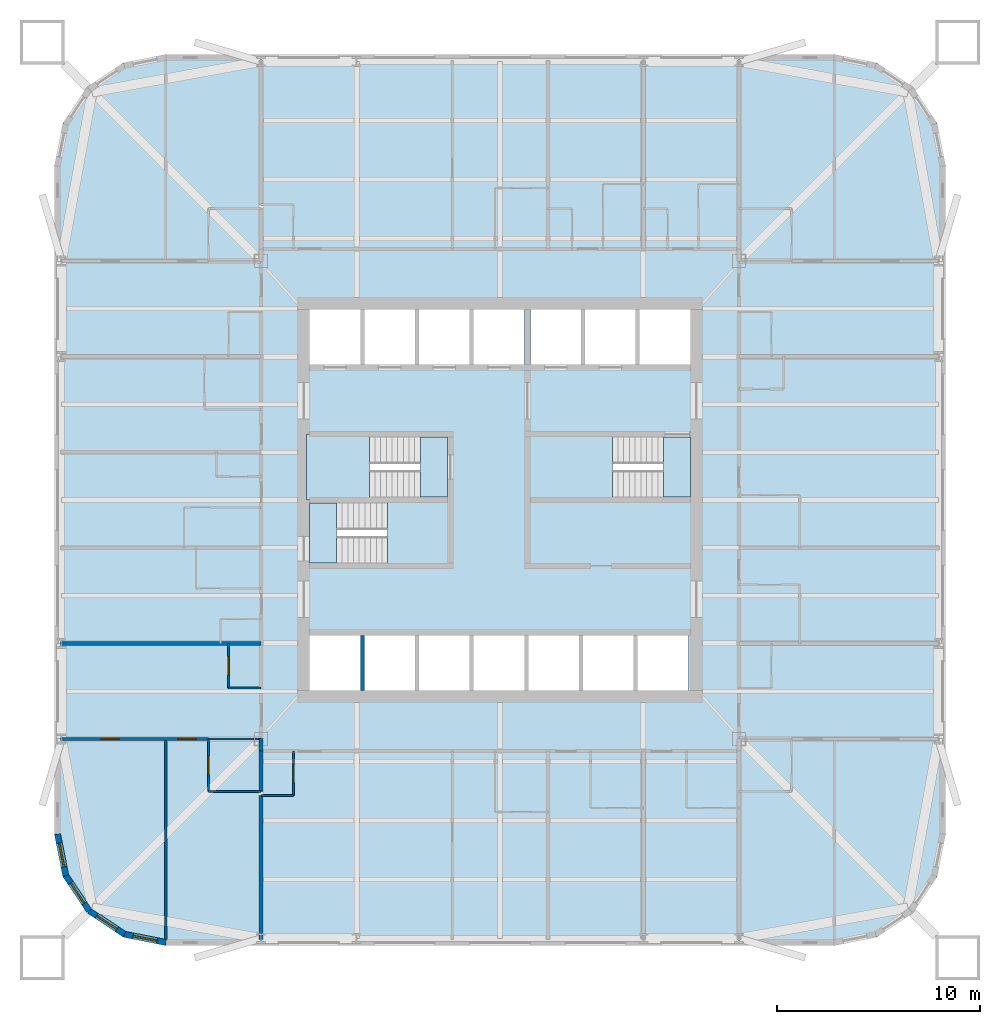
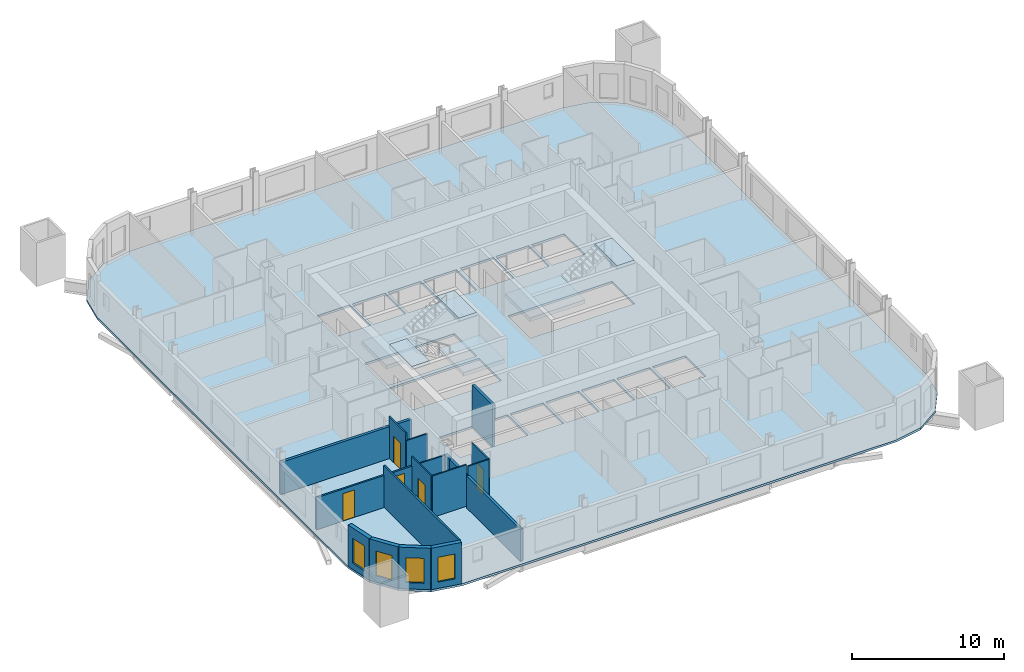
# One storey, part 2 of 9: 18 walls, 7 slabs, 5 doors, 4 windows, 9 openings, 3 elements without a shape of their own.
"""IFC4 building model written with IfcOpenShell, lengths in metres."""

from ifc_helpers import new_model, si_unit, direction, frame, frame_2d, origin, place, context, subcontext, project, spatial, polyline, rectangle, outline, extrude, material, layer, layer_set, type_object, element, fill, aggregate, save


model = new_model("IFC4")

# Units and contexts
model_context = context("Model", 3, precision=1e-05, world=origin(), true_north=direction((0.0, 1.0)))
body_context = subcontext(model_context, "Body", "Model", "MODEL_VIEW")
ifc_project = project(units=[si_unit("LENGTHUNIT", "METRE"), si_unit("AREAUNIT", "SQUARE_METRE"), si_unit("VOLUMEUNIT", "CUBIC_METRE"), si_unit("PLANEANGLEUNIT", "RADIAN"), si_unit("MASSUNIT", "GRAM", prefix="KILO")], contexts=[model_context])

# Site, building, storey
site_placement = place(None, origin())
site = spatial("IfcSite", under=ifc_project, at=site_placement, CompositionType="ELEMENT")
building_placement = place(site_placement, origin())
building = spatial("IfcBuilding", under=site, at=building_placement, Name="Turquesa Mirador Hotel Tower", CompositionType="ELEMENT")
storey_placement = place(building_placement, frame((0.0, 0.0, 35.5)))
storey = spatial("IfcBuildingStorey", under=building, at=storey_placement, Name="L08", CompositionType="ELEMENT", Elevation=35.5)

# Slab
ifc_material_1 = material(Name="Concrete C28/35", Category="concrete")
ifc_layer_1 = layer(ifc_material_1, 0.169921875)
ifc_layer_set_1 = layer_set([ifc_layer_1], Name="COMPOSITE FLOOR SLAB 170")
slab_type_1 = type_object("IfcSlabType", Name="COMPOSITE FLOOR SLAB 170", PredefinedType="FLOOR", material=ifc_layer_set_1)
slab_1_placement = place(storey_placement, frame((0.0, 0.0, -0.169921875)))
element("IfcSlab", 1, at=slab_1_placement, inside=storey, type_object=slab_type_1, Name="Floor slab L08", PredefinedType="FLOOR", context=body_context, shape_type="SweptSolid", body=[
    extrude(outline(polyline([(71.5, 23.0), (73.604736328125, 23.418701171875), (75.38916015625, 24.61083984375), (76.581298828125, 26.395263671875), (77.0, 28.5), (77.0, 61.5), (76.581298828125, 63.604736328125), (75.38916015625, 65.38916015625), (73.604736328125, 66.581298828125), (71.5, 67.0), (38.5, 67.0), (36.395263671875, 66.581298828125), (34.61083984375, 65.38916015625), (33.418701171875, 63.604736328125), (33.0, 61.5), (33.0, 28.5), (33.418701171875, 26.395263671875), (34.61083984375, 24.61083984375), (36.395263671875, 23.418701171875), (38.5, 23.0), (71.5, 23.0)]), holes=[polyline([(45.60009765625, 51.699951171875), (48.10009765625, 51.699951171875), (48.10009765625, 54.39990234375), (45.60009765625, 54.39990234375), (45.60009765625, 51.699951171875)]), polyline([(48.300048828125, 51.699951171875), (50.800048828125, 51.699951171875), (50.800048828125, 54.39990234375), (48.300048828125, 54.39990234375), (48.300048828125, 51.699951171875)]), polyline([(51.0, 51.699951171875), (53.5, 51.699951171875), (53.5, 54.39990234375), (51.0, 54.39990234375), (51.0, 51.699951171875)]), polyline([(53.699951171875, 51.699951171875), (56.199951171875, 51.699951171875), (56.199951171875, 54.39990234375), (53.699951171875, 54.39990234375), (53.699951171875, 51.699951171875)]), polyline([(56.5, 51.699951171875), (59.0, 51.699951171875), (59.0, 54.39990234375), (56.5, 54.39990234375), (56.5, 51.699951171875)]), polyline([(59.199951171875, 51.699951171875), (61.699951171875, 51.699951171875), (61.699951171875, 54.39990234375), (59.199951171875, 54.39990234375), (59.199951171875, 51.699951171875)]), polyline([(45.60009765625, 35.60009765625), (48.10009765625, 35.60009765625), (48.10009765625, 38.300048828125), (45.60009765625, 38.300048828125), (45.60009765625, 35.60009765625)]), polyline([(48.300048828125, 35.60009765625), (50.800048828125, 35.60009765625), (50.800048828125, 38.300048828125), (48.300048828125, 38.300048828125), (48.300048828125, 35.60009765625)]), polyline([(51.0, 35.60009765625), (53.5, 35.60009765625), (53.5, 38.300048828125), (51.0, 38.300048828125), (51.0, 35.60009765625)]), polyline([(53.699951171875, 35.60009765625), (56.199951171875, 35.60009765625), (56.199951171875, 38.300048828125), (53.699951171875, 38.300048828125), (53.699951171875, 35.60009765625)]), polyline([(56.39990234375, 35.60009765625), (58.89990234375, 35.60009765625), (58.89990234375, 38.300048828125), (56.39990234375, 38.300048828125), (56.39990234375, 35.60009765625)]), polyline([(59.10009765625, 35.60009765625), (61.60009765625, 35.60009765625), (61.60009765625, 38.300048828125), (59.10009765625, 38.300048828125), (59.10009765625, 35.60009765625)]), polyline([(61.800048828125, 35.60009765625), (64.300048828125, 35.60009765625), (64.300048828125, 38.300048828125), (61.800048828125, 38.300048828125), (61.800048828125, 35.60009765625)]), polyline([(45.60009765625, 45.14990234375), (52.39990234375, 45.14990234375), (52.39990234375, 48.10009765625), (45.60009765625, 48.10009765625), (45.60009765625, 45.14990234375)]), polyline([(45.60009765625, 41.89990234375), (52.39990234375, 41.89990234375), (52.39990234375, 44.85009765625), (45.60009765625, 44.85009765625), (45.60009765625, 41.89990234375)]), polyline([(56.5, 45.14990234375), (64.39990234375, 45.14990234375), (64.39990234375, 48.10009765625), (56.5, 48.10009765625), (56.5, 45.14990234375)]), polyline([(61.89990234375, 51.699951171875), (64.39990234375, 51.699951171875), (64.39990234375, 54.39990234375), (61.89990234375, 54.39990234375), (61.89990234375, 51.699951171875)])]), origin(), (0.0, 0.0, 1.0), 0.169921875),
])

# Stair, slabs
ifc_material_2 = material(Name="Concrete C35/45", Category="concrete")
stair_type = type_object("IfcStairType", Name="ESCAPE STAIR CORE", PredefinedType="HALF_TURN_STAIR", material=ifc_material_2)
stair_1_placement = place(storey_placement, origin())
stair_1 = element("IfcStair", 2, at=stair_1_placement, inside=storey, type_object=stair_type, Name="Stair ST1 L08 to L09", PredefinedType="HALF_TURN_STAIR")
ifc_material_3 = material(Name="Concrete C35/45", Category="concrete")
ifc_layer_2 = layer(ifc_material_3, 0.300048828125)
ifc_layer_set_2 = layer_set([ifc_layer_2], Name="STAIR LANDING 300")
slab_type_2 = type_object("IfcSlabType", Name="STAIR LANDING 300", PredefinedType="LANDING", material=ifc_layer_set_2)
slab_2_placement = place(storey_placement, frame((0.0, 0.0, 1.449951171875)))
slab_2 = element("IfcSlab", 3, at=slab_2_placement, type_object=slab_type_2, Name="ST1 landing 1", PredefinedType="LANDING", context=body_context, shape_type="SweptSolid", body=[
    extrude(outline(polyline([(45.449951171875, 45.0), (48.550048828125, 45.0), (48.550048828125, 48.25), (45.449951171875, 48.25), (45.449951171875, 45.0)])), origin(), (0.0, 0.0, 1.0), 0.300048828125),
])
slab_3_placement = place(storey_placement, frame((0.0, 0.0, 3.199951171875)))
slab_3 = element("IfcSlab", 4, at=slab_3_placement, type_object=slab_type_2, Name="ST1 landing 2", PredefinedType="LANDING", context=body_context, shape_type="SweptSolid", body=[
    extrude(outline(polyline([(51.070068359375, 45.14990234375), (52.39990234375, 45.14990234375), (52.39990234375, 48.10009765625), (51.070068359375, 48.10009765625), (51.070068359375, 45.14990234375)])), origin(), (0.0, 0.0, 1.0), 0.300048828125),
])
aggregate(stair_1, [slab_2, slab_3])

stair_2_placement = place(storey_placement, origin())
stair_2 = element("IfcStair", 5, at=stair_2_placement, inside=storey, type_object=stair_type, Name="Stair ST2 L08 to L09", PredefinedType="HALF_TURN_STAIR")
slab_4_placement = place(storey_placement, frame((0.0, 0.0, 1.449951171875)))
slab_4 = element("IfcSlab", 6, at=slab_4_placement, type_object=slab_type_2, Name="ST2 landing 1", PredefinedType="LANDING", context=body_context, shape_type="SweptSolid", body=[
    extrude(outline(polyline([(52.550048828125, 45.0), (49.449951171875, 45.0), (49.449951171875, 41.75), (52.550048828125, 41.75), (52.550048828125, 45.0)])), origin(), (0.0, 0.0, 1.0), 0.300048828125),
])
slab_5_placement = place(storey_placement, frame((0.0, 0.0, 3.199951171875)))
slab_5 = element("IfcSlab", 7, at=slab_5_placement, type_object=slab_type_2, Name="ST2 landing 2", PredefinedType="LANDING", context=body_context, shape_type="SweptSolid", body=[
    extrude(outline(polyline([(46.929931640625, 44.85009765625), (45.60009765625, 44.85009765625), (45.60009765625, 41.89990234375), (46.929931640625, 41.89990234375), (46.929931640625, 44.85009765625)])), origin(), (0.0, 0.0, 1.0), 0.300048828125),
])
aggregate(stair_2, [slab_4, slab_5])

stair_3_placement = place(storey_placement, origin())
stair_3 = element("IfcStair", 8, at=stair_3_placement, inside=storey, type_object=stair_type, Name="Stair ST3 L08 to L09", PredefinedType="HALF_TURN_STAIR")
slab_6_placement = place(storey_placement, frame((0.0, 0.0, 1.449951171875)))
slab_6 = element("IfcSlab", 9, at=slab_6_placement, type_object=slab_type_2, Name="ST3 landing 1", PredefinedType="LANDING", context=body_context, shape_type="SweptSolid", body=[
    extrude(outline(polyline([(56.35009765625, 45.0), (60.550048828125, 45.0), (60.550048828125, 48.25), (56.35009765625, 48.25), (56.35009765625, 45.0)])), origin(), (0.0, 0.0, 1.0), 0.300048828125),
])
slab_7_placement = place(storey_placement, frame((0.0, 0.0, 3.199951171875)))
slab_7 = element("IfcSlab", 10, at=slab_7_placement, type_object=slab_type_2, Name="ST3 landing 2", PredefinedType="LANDING", context=body_context, shape_type="SweptSolid", body=[
    extrude(outline(polyline([(63.070068359375, 45.14990234375), (64.39990234375, 45.14990234375), (64.39990234375, 48.10009765625), (63.070068359375, 48.10009765625), (63.070068359375, 45.14990234375)])), origin(), (0.0, 0.0, 1.0), 0.300048828125),
])
aggregate(stair_3, [slab_6, slab_7])

# Walls
ifc_material_4 = material(Name="Gypsum board on steel studs", Category="steel")
ifc_layer_3 = layer(ifc_material_4, 0.10009765625)
ifc_layer_set_3 = layer_set([ifc_layer_3], Name="BATHROOM WALL 100")
wall_type_1 = type_object("IfcWallType", Name="BATHROOM WALL 100", PredefinedType="PARTITIONING", material=ifc_layer_set_3)
wall_1_placement = place(storey_placement, frame((40.60009765625, 33.199951171875, 0.0), z_axis=(0.0, 0.0, 1.0), x_axis=(1.0, 0.0, 0.0)))
element("IfcWall", 11, at=wall_1_placement, inside=storey, type_object=wall_type_1, Name="Partition L08 002", PredefinedType="PARTITIONING", context=body_context, shape_type="SweptSolid", body=[
    extrude(rectangle(XDim=2.599853515625, YDim=0.10009765625, at=frame_2d((1.2998046875, 0.0))), origin(), (0.0, 0.0, 1.0), 2.572998046875),
])
wall_2_placement = place(storey_placement, frame((40.60009765625, 30.60009765625, 0.0), z_axis=(0.0, 0.0, 1.0), x_axis=(1.0, 0.0, 0.0)))
element("IfcWall", 12, at=wall_2_placement, inside=storey, type_object=wall_type_1, Name="Partition L08 007", PredefinedType="PARTITIONING", context=body_context, shape_type="SweptSolid", body=[
    extrude(rectangle(XDim=2.599853515625, YDim=0.10009765625, at=frame_2d((1.2998046875, 0.0))), origin(), (0.0, 0.0, 1.0), 3.330078125),
])
wall_3_placement = place(storey_placement, frame((43.199951171875, 30.39990234375, 0.0), z_axis=(0.0, 0.0, 1.0), x_axis=(1.0, 0.0, 0.0)))
element("IfcWall", 13, at=wall_3_placement, inside=storey, type_object=wall_type_1, Name="Partition L08 009", PredefinedType="PARTITIONING", context=body_context, shape_type="SweptSolid", body=[
    extrude(rectangle(XDim=1.60009765625, YDim=0.10009765625, at=frame_2d((0.800048828125, 0.0))), origin(), (0.0, 0.0, 1.0), 3.330078125),
])
wall_4_placement = place(storey_placement, frame((41.60009765625, 35.719970703125, 0.0), z_axis=(0.0, 0.0, 1.0), x_axis=(1.0, 0.0, 0.0)))
element("IfcWall", 14, at=wall_4_placement, inside=storey, type_object=wall_type_1, Name="Partition L08 020", PredefinedType="PARTITIONING", context=body_context, shape_type="SweptSolid", body=[
    extrude(rectangle(XDim=1.599853515625, YDim=0.10009765625, at=frame_2d((0.7998046875, 0.0))), origin(), (0.0, 0.0, 1.0), 2.722900390625),
])

# Wall, opening, door
wall_5_placement = place(storey_placement, frame((44.800048828125, 30.39990234375, 0.0), z_axis=(0.0, 0.0, 1.0), x_axis=(0.0, 1.0, 0.0)))
wall_5 = element("IfcWall", 15, at=wall_5_placement, inside=storey, type_object=wall_type_1, Name="Partition L08 046", PredefinedType="PARTITIONING", context=body_context, shape_type="SweptSolid", body=[
    extrude(rectangle(XDim=2.2001953125, YDim=0.10009765625, at=frame_2d((1.10009765625, 0.0))), origin(), (0.0, 0.0, 1.0), 3.330078125),
])
opening_1_placement = place(wall_5_placement, frame((0.64990234375, 0.0, 0.0)))
opening_1 = element("IfcOpeningElement", 16, at=opening_1_placement, cuts=wall_5, Name="Opening D06", PredefinedType="OPENING", context=body_context, shape_type="SweptSolid", body=[
    extrude(rectangle(XDim=0.89990234375, YDim=2.10009765625, at=frame_2d((0.449951171875, 1.050048828125))), frame((0.0, 0.06005859375, 0.0), z_axis=(0.0, -1.0, 0.0), x_axis=(1.0, 0.0, 0.0)), (0.0, 0.0, 1.0), 0.1201171875),
])
ifc_material_5 = material(Name="Laminate door", Category="wood")
door_type_1 = type_object("IfcDoorType", Name="DOOR 900X2100 WC", OperationType="SINGLE_SWING_LEFT", PredefinedType="DOOR", material=ifc_material_5)
door_1_placement = place(opening_1_placement, origin())
door_1 = element("IfcDoor", 17, at=door_1_placement, inside=storey, type_object=door_type_1, Name="Door 0804W", OperationType="SINGLE_SWING_LEFT", OverallHeight=2.10009765625, OverallWidth=0.89990234375, PredefinedType="DOOR", context=body_context, shape_type="SweptSolid", body=[
    extrude(rectangle(XDim=0.89990234375, YDim=2.10009765625, at=frame_2d((0.449951171875, 1.050048828125))), frame((0.0, 0.02490234375, 0.0), z_axis=(0.0, -1.0, 0.0), x_axis=(1.0, 0.0, 0.0)), (0.0, 0.0, 1.0), 0.050048828125),
])
fill(opening_1, door_1)

wall_6_placement = place(storey_placement, frame((41.60009765625, 35.719970703125, 0.0), z_axis=(0.0, 0.0, 1.0), x_axis=(0.0, 1.0, 0.0)))
wall_6 = element("IfcWall", 18, at=wall_6_placement, inside=storey, type_object=wall_type_1, Name="Partition L08 053", PredefinedType="PARTITIONING", context=body_context, shape_type="SweptSolid", body=[
    extrude(rectangle(XDim=2.199951171875, YDim=0.10009765625, at=frame_2d((1.10009765625, 0.0))), origin(), (0.0, 0.0, 1.0), 3.330078125),
])
opening_2_placement = place(wall_6_placement, frame((0.64990234375, 0.0, 0.0)))
opening_2 = element("IfcOpeningElement", 19, at=opening_2_placement, cuts=wall_6, Name="Opening D06", PredefinedType="OPENING", context=body_context, shape_type="SweptSolid", body=[
    extrude(rectangle(XDim=0.89990234375, YDim=2.10009765625, at=frame_2d((0.449951171875, 1.050048828125))), frame((0.0, 0.06005859375, 0.0), z_axis=(0.0, -1.0, 0.0), x_axis=(1.0, 0.0, 0.0)), (0.0, 0.0, 1.0), 0.1201171875),
])
door_2_placement = place(opening_2_placement, origin())
door_2 = element("IfcDoor", 20, at=door_2_placement, inside=storey, type_object=door_type_1, Name="Door 0814W", OperationType="SINGLE_SWING_LEFT", OverallHeight=2.10009765625, OverallWidth=0.89990234375, PredefinedType="DOOR", context=body_context, shape_type="SweptSolid", body=[
    extrude(rectangle(XDim=0.89990234375, YDim=2.10009765625, at=frame_2d((0.449951171875, 1.050048828125))), frame((0.0, 0.02490234375, 0.0), z_axis=(0.0, -1.0, 0.0), x_axis=(1.0, 0.0, 0.0)), (0.0, 0.0, 1.0), 0.050048828125),
])
fill(opening_2, door_2)

wall_7_placement = place(storey_placement, frame((40.60009765625, 30.60009765625, 0.0), z_axis=(0.0, 0.0, 1.0), x_axis=(0.0, 1.0, 0.0)))
wall_7 = element("IfcWall", 21, at=wall_7_placement, inside=storey, type_object=wall_type_1, Name="Partition L08 057", PredefinedType="PARTITIONING", context=body_context, shape_type="SweptSolid", body=[
    extrude(rectangle(XDim=2.599853515625, YDim=0.10009765625, at=frame_2d((1.2998046875, 0.0))), origin(), (0.0, 0.0, 1.0), 3.330078125),
])
opening_3_placement = place(wall_7_placement, frame((0.85009765625, 0.0, 0.0)))
opening_3 = element("IfcOpeningElement", 22, at=opening_3_placement, cuts=wall_7, Name="Opening D02", PredefinedType="OPENING", context=body_context, shape_type="SweptSolid", body=[
    extrude(rectangle(XDim=0.89990234375, YDim=2.10009765625, at=frame_2d((0.449951171875, 1.050048828125))), frame((0.0, 0.06005859375, 0.0), z_axis=(0.0, -1.0, 0.0), x_axis=(1.0, 0.0, 0.0)), (0.0, 0.0, 1.0), 0.1201171875),
])
ifc_material_6 = material(Name="Timber veneered door", Category="wood")
door_type_2 = type_object("IfcDoorType", Name="DOOR 900X2100 EN-SUITE", OperationType="SINGLE_SWING_RIGHT", PredefinedType="DOOR", material=ifc_material_6)
door_3_placement = place(opening_3_placement, origin())
door_3 = element("IfcDoor", 23, at=door_3_placement, inside=storey, type_object=door_type_2, Name="Door 0814B", OperationType="SINGLE_SWING_RIGHT", OverallHeight=2.10009765625, OverallWidth=0.89990234375, PredefinedType="DOOR", context=body_context, shape_type="SweptSolid", body=[
    extrude(rectangle(XDim=0.89990234375, YDim=2.10009765625, at=frame_2d((0.449951171875, 1.050048828125))), frame((0.0, 0.02490234375, 0.0), z_axis=(0.0, -1.0, 0.0), x_axis=(1.0, 0.0, 0.0)), (0.0, 0.0, 1.0), 0.050048828125),
])
fill(opening_3, door_3)

# Wall
ifc_material_7 = material(Name="Fire-rated gypsum board on steel studs", Category="steel")
ifc_layer_4 = layer(ifc_material_7, 0.199951171875)
ifc_layer_set_4 = layer_set([ifc_layer_4], Name="CORRIDOR WALL 200")
wall_type_2 = type_object("IfcWallType", Name="CORRIDOR WALL 200", PredefinedType="PARTITIONING", material=ifc_layer_set_4)
wall_8_placement = place(storey_placement, frame((43.199951171875, 32.60009765625, 0.0), z_axis=(0.0, 0.0, 1.0), x_axis=(0.0, 1.0, 0.0)))
element("IfcWall", 24, at=wall_8_placement, inside=storey, type_object=wall_type_2, Name="Partition L08 088", PredefinedType="PARTITIONING", context=body_context, shape_type="SweptSolid", body=[
    extrude(rectangle(XDim=0.619873046875, YDim=0.199951171875, at=frame_2d((0.31005859375, 0.0))), origin(), (0.0, 0.0, 1.0), 2.572998046875),
])

# Wall, opening, window
ifc_material_8 = material(Name="Limestone cladding on concrete block", Category="masonry")
ifc_layer_5 = layer(ifc_material_8, 0.300048828125)
ifc_layer_set_5 = layer_set([ifc_layer_5], Name="FACADE WALL 300 STONE SCREEN")
wall_type_3 = type_object("IfcWallType", Name="FACADE WALL 300 STONE SCREEN", PredefinedType="SOLIDWALL", material=ifc_layer_set_5)
wall_9_placement = place(storey_placement, frame((33.14990234375, 28.5, 0.0), z_axis=(0.0, 0.0, 1.0), x_axis=(0.195081421501, -0.980787050784, 0.0)))
wall_9 = element("IfcWall", 25, at=wall_9_placement, inside=storey, type_object=wall_type_3, Name="Facade wall L08 15", PredefinedType="SOLIDWALL", context=body_context, shape_type="SweptSolid", body=[
    extrude(rectangle(XDim=2.08740234375, YDim=0.300048828125, at=frame_2d((1.043701171875, 0.0))), origin(), (0.0, 0.0, 1.0), 3.330078125),
])
opening_4_placement = place(wall_9_placement, frame((0.443603515625, 0.0, 0.5)))
opening_4 = element("IfcOpeningElement", 26, at=opening_4_placement, cuts=wall_9, Name="Opening WN4", PredefinedType="OPENING", context=body_context, shape_type="SweptSolid", body=[
    extrude(rectangle(XDim=1.199951171875, YDim=2.0, at=frame_2d((0.60009765625, 1.0))), frame((0.0, 0.159912109375, 0.0), z_axis=(0.0, -1.0, 0.0), x_axis=(1.0, 0.0, 0.0)), (0.0, 0.0, 1.0), 0.320068359375),
])
ifc_material_9 = material(Name="Ceramic-fritted laminated glass", Category="glass")
window_type = type_object("IfcWindowType", Name="FRITTED CORNER WINDOW 1200X2000", PartitioningType="DOUBLE_PANEL_HORIZONTAL", PredefinedType="WINDOW", material=ifc_material_9)
window_1_placement = place(opening_4_placement, origin())
window_1 = element("IfcWindow", 27, at=window_1_placement, inside=storey, type_object=window_type, Name="Window L08", OverallHeight=2.0, OverallWidth=1.199951171875, PartitioningType="SINGLE_PANEL", PredefinedType="WINDOW", context=body_context, shape_type="SweptSolid", body=[
    extrude(rectangle(XDim=1.199951171875, YDim=2.0, at=frame_2d((0.60009765625, 1.0))), frame((0.0, 0.030029296875, 0.0), z_axis=(0.0, -1.0, 0.0), x_axis=(1.0, 0.0, 0.0)), (0.0, 0.0, 1.0), 0.06005859375),
])
fill(opening_4, window_1)

wall_10_placement = place(storey_placement, frame((33.55712890625, 26.45263671875, 0.0), z_axis=(0.0, 0.0, 1.0), x_axis=(0.555644460423, -0.831420010345, 0.0)))
wall_10 = element("IfcWall", 28, at=wall_10_placement, inside=storey, type_object=wall_type_3, Name="Facade wall L08 16", PredefinedType="SOLIDWALL", context=body_context, shape_type="SweptSolid", body=[
    extrude(rectangle(XDim=2.08740234375, YDim=0.300048828125, at=frame_2d((1.043701171875, 0.0))), origin(), (0.0, 0.0, 1.0), 3.330078125),
])
opening_5_placement = place(wall_10_placement, frame((0.443603515625, 0.0, 0.5)))
opening_5 = element("IfcOpeningElement", 29, at=opening_5_placement, cuts=wall_10, Name="Opening WN4", PredefinedType="OPENING", context=body_context, shape_type="SweptSolid", body=[
    extrude(rectangle(XDim=1.199951171875, YDim=2.0, at=frame_2d((0.60009765625, 1.0))), frame((0.0, 0.159912109375, 0.0), z_axis=(0.0, -1.0, 0.0), x_axis=(1.0, 0.0, 0.0)), (0.0, 0.0, 1.0), 0.320068359375),
])
window_2_placement = place(opening_5_placement, origin())
window_2 = element("IfcWindow", 30, at=window_2_placement, inside=storey, type_object=window_type, Name="Window L08", OverallHeight=2.0, OverallWidth=1.199951171875, PartitioningType="SINGLE_PANEL", PredefinedType="WINDOW", context=body_context, shape_type="SweptSolid", body=[
    extrude(rectangle(XDim=1.199951171875, YDim=2.0, at=frame_2d((0.60009765625, 1.0))), frame((0.0, 0.030029296875, 0.0), z_axis=(0.0, -1.0, 0.0), x_axis=(1.0, 0.0, 0.0)), (0.0, 0.0, 1.0), 0.06005859375),
])
fill(opening_5, window_2)

wall_11_placement = place(storey_placement, frame((34.717041015625, 24.717041015625, 0.0), z_axis=(0.0, 0.0, 1.0), x_axis=(0.831420010345, -0.555644460423, 0.0)))
wall_11 = element("IfcWall", 31, at=wall_11_placement, inside=storey, type_object=wall_type_3, Name="Facade wall L08 17", PredefinedType="SOLIDWALL", context=body_context, shape_type="SweptSolid", body=[
    extrude(rectangle(XDim=2.08740234375, YDim=0.300048828125, at=frame_2d((1.043701171875, 0.0))), origin(), (0.0, 0.0, 1.0), 3.330078125),
])
opening_6_placement = place(wall_11_placement, frame((0.443603515625, 0.0, 0.5)))
opening_6 = element("IfcOpeningElement", 32, at=opening_6_placement, cuts=wall_11, Name="Opening WN4", PredefinedType="OPENING", context=body_context, shape_type="SweptSolid", body=[
    extrude(rectangle(XDim=1.199951171875, YDim=2.0, at=frame_2d((0.60009765625, 1.0))), frame((0.0, 0.159912109375, 0.0), z_axis=(0.0, -1.0, 0.0), x_axis=(1.0, 0.0, 0.0)), (0.0, 0.0, 1.0), 0.320068359375),
])
window_3_placement = place(opening_6_placement, origin())
window_3 = element("IfcWindow", 33, at=window_3_placement, inside=storey, type_object=window_type, Name="Window L08", OverallHeight=2.0, OverallWidth=1.199951171875, PartitioningType="SINGLE_PANEL", PredefinedType="WINDOW", context=body_context, shape_type="SweptSolid", body=[
    extrude(rectangle(XDim=1.199951171875, YDim=2.0, at=frame_2d((0.60009765625, 1.0))), frame((0.0, 0.030029296875, 0.0), z_axis=(0.0, -1.0, 0.0), x_axis=(1.0, 0.0, 0.0)), (0.0, 0.0, 1.0), 0.06005859375),
])
fill(opening_6, window_3)

wall_12_placement = place(storey_placement, frame((36.45263671875, 23.55712890625, 0.0), z_axis=(0.0, 0.0, 1.0), x_axis=(0.980787050784, -0.195081421501, 0.0)))
wall_12 = element("IfcWall", 34, at=wall_12_placement, inside=storey, type_object=wall_type_3, Name="Facade wall L08 18", PredefinedType="SOLIDWALL", context=body_context, shape_type="SweptSolid", body=[
    extrude(rectangle(XDim=2.08740234375, YDim=0.300048828125, at=frame_2d((1.043701171875, 0.0))), origin(), (0.0, 0.0, 1.0), 3.330078125),
])
opening_7_placement = place(wall_12_placement, frame((0.443603515625, 0.0, 0.5)))
opening_7 = element("IfcOpeningElement", 35, at=opening_7_placement, cuts=wall_12, Name="Opening WN4", PredefinedType="OPENING", context=body_context, shape_type="SweptSolid", body=[
    extrude(rectangle(XDim=1.199951171875, YDim=2.0, at=frame_2d((0.60009765625, 1.0))), frame((0.0, 0.159912109375, 0.0), z_axis=(0.0, -1.0, 0.0), x_axis=(1.0, 0.0, 0.0)), (0.0, 0.0, 1.0), 0.320068359375),
])
window_4_placement = place(opening_7_placement, origin())
window_4 = element("IfcWindow", 36, at=window_4_placement, inside=storey, type_object=window_type, Name="Window L08", OverallHeight=2.0, OverallWidth=1.199951171875, PartitioningType="SINGLE_PANEL", PredefinedType="WINDOW", context=body_context, shape_type="SweptSolid", body=[
    extrude(rectangle(XDim=1.199951171875, YDim=2.0, at=frame_2d((0.60009765625, 1.0))), frame((0.0, 0.030029296875, 0.0), z_axis=(0.0, -1.0, 0.0), x_axis=(1.0, 0.0, 0.0)), (0.0, 0.0, 1.0), 0.06005859375),
])
fill(opening_7, window_4)

# Walls
ifc_material_10 = material(Name="Fire-rated gypsum shaft wall on steel studs", Category="steel")
ifc_layer_6 = layer(ifc_material_10, 0.199951171875)
ifc_layer_set_6 = layer_set([ifc_layer_6], Name="LIFT SHAFT DIVIDER 200")
wall_type_4 = type_object("IfcWallType", Name="LIFT SHAFT DIVIDER 200", PredefinedType="PARTITIONING", material=ifc_layer_set_6)
wall_13_placement = place(storey_placement, frame((48.199951171875, 35.60009765625, 0.0), z_axis=(0.0, 0.0, 1.0), x_axis=(0.0, 1.0, 0.0)))
element("IfcWall", 37, at=wall_13_placement, inside=storey, type_object=wall_type_4, Name="Lift shaft divider", PredefinedType="PARTITIONING", context=body_context, shape_type="SweptSolid", body=[
    extrude(rectangle(XDim=2.699951171875, YDim=0.199951171875, at=frame_2d((1.35009765625, 0.0))), origin(), (0.0, 0.0, 1.0), 3.330078125),
])
ifc_material_11 = material(Name="Fire-rated gypsum board on steel studs", Category="steel")
ifc_layer_7 = layer(ifc_material_11, 0.199951171875)
ifc_layer_set_7 = layer_set([ifc_layer_7], Name="PARTY WALL 200")
wall_type_5 = type_object("IfcWallType", Name="PARTY WALL 200", PredefinedType="PARTITIONING", material=ifc_layer_set_7)
wall_14_placement = place(storey_placement, frame((33.300048828125, 37.919921875, 0.0), z_axis=(0.0, 0.0, 1.0), x_axis=(1.0, 0.0, 0.0)))
element("IfcWall", 38, at=wall_14_placement, inside=storey, type_object=wall_type_5, Name="Partition L08 018", PredefinedType="PARTITIONING", context=body_context, shape_type="SweptSolid", body=[
    extrude(rectangle(XDim=9.89990234375, YDim=0.199951171875, at=frame_2d((4.949951171875, 0.0))), origin(), (0.0, 0.0, 1.0), 2.572998046875),
])
wall_15_placement = place(storey_placement, frame((43.199951171875, 23.300048828125, 0.0), z_axis=(0.0, 0.0, 1.0), x_axis=(0.0, 1.0, 0.0)))
element("IfcWall", 39, at=wall_15_placement, inside=storey, type_object=wall_type_5, Name="Partition L08 049", PredefinedType="PARTITIONING", context=body_context, shape_type="SweptSolid", body=[
    extrude(rectangle(XDim=7.099853515625, YDim=0.199951171875, at=frame_2d((3.5498046875, 0.0))), origin(), (0.0, 0.0, 1.0), 2.572998046875),
])
wall_16_placement = place(storey_placement, frame((43.199951171875, 30.60009765625, 0.0), z_axis=(0.0, 0.0, 1.0), x_axis=(0.0, 1.0, 0.0)))
element("IfcWall", 40, at=wall_16_placement, inside=storey, type_object=wall_type_5, Name="Partition L08 050", PredefinedType="PARTITIONING", context=body_context, shape_type="SweptSolid", body=[
    extrude(rectangle(XDim=2.0, YDim=0.199951171875, at=frame_2d((1.0, 0.0))), origin(), (0.0, 0.0, 1.0), 2.572998046875),
])

# Wall, openings, doors
ifc_material_12 = material(Name="Acoustic gypsum board on steel studs", Category="steel")
ifc_layer_8 = layer(ifc_material_12, 0.125)
ifc_layer_set_8 = layer_set([ifc_layer_8], Name="SUITE PARTITION 125")
wall_type_6 = type_object("IfcWallType", Name="SUITE PARTITION 125", PredefinedType="PARTITIONING", material=ifc_layer_set_8)
wall_17_placement = place(storey_placement, frame((33.300048828125, 33.199951171875, 0.0), z_axis=(0.0, 0.0, 1.0), x_axis=(1.0, 0.0, 0.0)))
wall_17 = element("IfcWall", 41, at=wall_17_placement, inside=storey, type_object=wall_type_6, Name="Partition L08 004", PredefinedType="PARTITIONING", context=body_context, shape_type="SweptSolid", body=[
    extrude(rectangle(XDim=7.300048828125, YDim=0.125, at=frame_2d((3.64990234375, 0.0))), origin(), (0.0, 0.0, 1.0), 2.572998046875),
])
opening_8_placement = place(wall_17_placement, frame((5.800048828125, 0.0, 0.0)))
opening_8 = element("IfcOpeningElement", 42, at=opening_8_placement, cuts=wall_17, Name="Opening D17", PredefinedType="OPENING", context=body_context, shape_type="SweptSolid", body=[
    extrude(rectangle(XDim=0.89990234375, YDim=2.199951171875, at=frame_2d((0.449951171875, 1.10009765625))), frame((0.0, 0.072509765625, 0.0), z_axis=(0.0, -1.0, 0.0), x_axis=(1.0, 0.0, 0.0)), (0.0, 0.0, 1.0), 0.14501953125),
])
opening_9_placement = place(wall_17_placement, frame((2.0, 0.0, 0.0)))
opening_9 = element("IfcOpeningElement", 43, at=opening_9_placement, cuts=wall_17, Name="Opening D17", PredefinedType="OPENING", context=body_context, shape_type="SweptSolid", body=[
    extrude(rectangle(XDim=0.89990234375, YDim=2.199951171875, at=frame_2d((0.449951171875, 1.10009765625))), frame((0.0, 0.072509765625, 0.0), z_axis=(0.0, -1.0, 0.0), x_axis=(1.0, 0.0, 0.0)), (0.0, 0.0, 1.0), 0.14501953125),
])
ifc_material_13 = material(Name="Timber veneered door", Category="wood")
door_type_3 = type_object("IfcDoorType", Name="DOOR 900X2200 SUITE INTERNAL", OperationType="SINGLE_SWING_LEFT", PredefinedType="DOOR", material=ifc_material_13)
door_4_placement = place(opening_8_placement, origin())
door_4 = element("IfcDoor", 44, at=door_4_placement, inside=storey, type_object=door_type_3, Name="Door 0814R", OperationType="SINGLE_SWING_LEFT", OverallHeight=2.199951171875, OverallWidth=0.89990234375, PredefinedType="DOOR", context=body_context, shape_type="SweptSolid", body=[
    extrude(rectangle(XDim=0.89990234375, YDim=2.199951171875, at=frame_2d((0.449951171875, 1.10009765625))), frame((0.0, 0.02490234375, 0.0), z_axis=(0.0, -1.0, 0.0), x_axis=(1.0, 0.0, 0.0)), (0.0, 0.0, 1.0), 0.050048828125),
])
fill(opening_8, door_4)
door_5_placement = place(opening_9_placement, origin())
door_5 = element("IfcDoor", 45, at=door_5_placement, inside=storey, type_object=door_type_3, Name="Door 0814S", OperationType="SINGLE_SWING_LEFT", OverallHeight=2.199951171875, OverallWidth=0.89990234375, PredefinedType="DOOR", context=body_context, shape_type="SweptSolid", body=[
    extrude(rectangle(XDim=0.89990234375, YDim=2.199951171875, at=frame_2d((0.449951171875, 1.10009765625))), frame((0.0, 0.02490234375, 0.0), z_axis=(0.0, -1.0, 0.0), x_axis=(1.0, 0.0, 0.0)), (0.0, 0.0, 1.0), 0.050048828125),
])
fill(opening_9, door_5)

# Wall
wall_18_placement = place(storey_placement, frame((38.5, 23.305908203125, 0.0), z_axis=(0.0, 0.0, 1.0), x_axis=(0.0, 1.0, 0.0)))
element("IfcWall", 46, at=wall_18_placement, inside=storey, type_object=wall_type_6, Name="Partition L08 062", PredefinedType="PARTITIONING", context=body_context, shape_type="SweptSolid", body=[
    extrude(rectangle(XDim=9.89404296875, YDim=0.125, at=frame_2d((4.947021484375, 0.0))), origin(), (0.0, 0.0, 1.0), 3.330078125),
])

save(model, "model.ifc")
